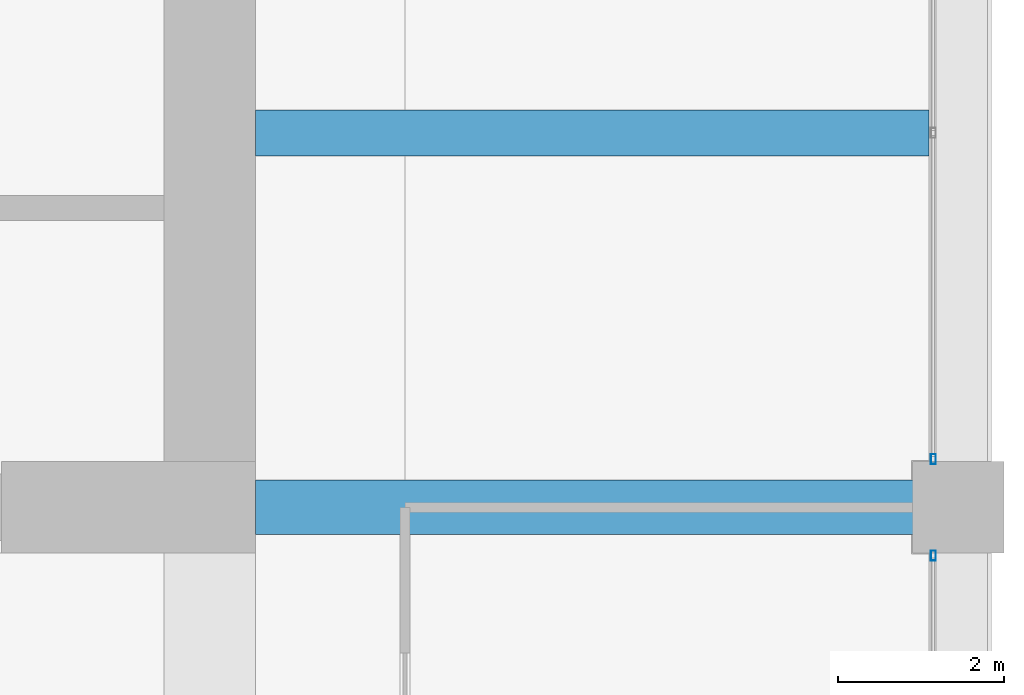
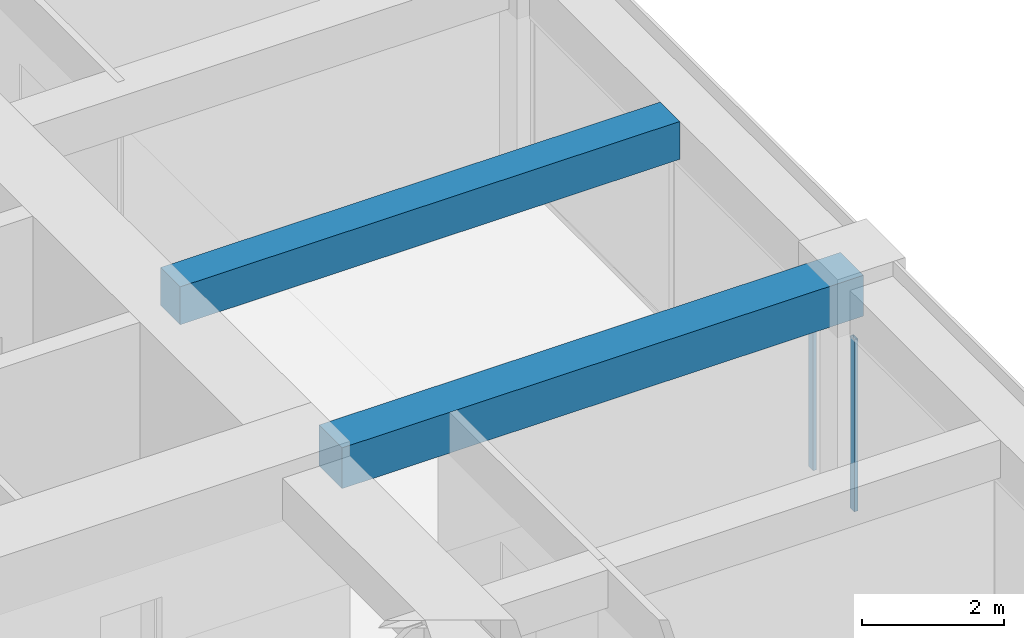
# One storey, part 24 of 44: 2 beams, 2 members, 2 elements without a shape of their own.
"""IFC4 building model written with IfcOpenShell, lengths in metres."""

from ifc_helpers import new_model, si_unit, direction, frame, origin, origin_2d, place, context, subcontext, project, spatial, rectangle, hollow_rectangle, extrude, material, material_profile, profile_set, type_object, element, aggregate, save


model = new_model("IFC4")

# Units and contexts
model_context = context("Model", 3, precision=1e-05, world=origin(), true_north=direction((0.0, 1.0)))
body_context = subcontext(model_context, "Body", "Model", "MODEL_VIEW")
ifc_project = project(units=[si_unit("LENGTHUNIT", "METRE"), si_unit("AREAUNIT", "SQUARE_METRE"), si_unit("VOLUMEUNIT", "CUBIC_METRE"), si_unit("PLANEANGLEUNIT", "RADIAN"), si_unit("MASSUNIT", "GRAM", prefix="KILO")], contexts=[model_context])

# Site, building, storey
site_placement = place(None, origin())
site = spatial("IfcSite", under=ifc_project, at=site_placement, CompositionType="ELEMENT")
building_placement = place(site_placement, origin())
building = spatial("IfcBuilding", under=site, at=building_placement, Name="Zorevar Civic Tower", CompositionType="ELEMENT")
storey_placement = place(building_placement, frame((0.0, 0.0, 295.39990234375)))
storey = spatial("IfcBuildingStorey", under=building, at=storey_placement, Name="L72", CompositionType="ELEMENT", Elevation=295.39990234375)

# Beams
ifc_material_1 = material(Name="Concrete C50/60", Category="concrete")
ifc_material_profile_1 = material_profile(ifc_material_1, rectangle(XDim=0.550048828125, YDim=0.64990234375, at=origin_2d()), Name="RC 550x650")
ifc_profile_set_1 = profile_set([ifc_material_profile_1], Name="Concrete C50/60")
beam_type_1 = type_object("IfcBeamType", Name="Beam RC 550x650", PredefinedType="BEAM", material=ifc_profile_set_1)
beam_1_placement = place(storey_placement, frame((45.550048828125, 22.5, 3.425048828125), z_axis=(1.0, 0.0, 0.0), x_axis=(0.0, 1.0, 0.0)))
element("IfcBeam", 1, at=beam_1_placement, inside=storey, type_object=beam_type_1, Name="Secondary beam L73", PredefinedType="BEAM", context=body_context, shape_type="SweptSolid", body=[
    extrude(rectangle(XDim=0.550048828125, YDim=0.64990234375, at=origin_2d()), origin(), (0.0, 0.0, 1.0), 8.099853515625),
])
ifc_material_2 = material(Name="Concrete C50/60", Category="concrete")
ifc_material_profile_2 = material_profile(ifc_material_2, rectangle(XDim=0.64990234375, YDim=0.699951171875, at=origin_2d()), Name="RC 650x700")
ifc_profile_set_2 = profile_set([ifc_material_profile_2], Name="Concrete C50/60")
beam_type_2 = type_object("IfcBeamType", Name="Beam RC 650x700", PredefinedType="BEAM", material=ifc_profile_set_2)
beam_2_placement = place(storey_placement, frame((45.550048828125, 18.0, 3.400146484375), z_axis=(1.0, 0.0, 0.0), x_axis=(0.0, 1.0, 0.0)))
element("IfcBeam", 2, at=beam_2_placement, inside=storey, type_object=beam_type_2, Name="Girder L73", PredefinedType="BEAM", context=body_context, shape_type="SweptSolid", body=[
    extrude(rectangle(XDim=0.64990234375, YDim=0.699951171875, at=origin_2d()), origin(), (0.0, 0.0, 1.0), 8.449951171875),
])

# Curtain wall, member
ifc_material_3 = material(Name="Dark grey solar-control glass in black aluminium frame", Category="aluminium")
curtain_wall_type = type_object("IfcCurtainWallType", Name="Curtain wall CW5 top zone", PredefinedType="NOTDEFINED", material=ifc_material_3)
curtain_wall_1_placement = place(storey_placement, origin())
curtain_wall_1 = element("IfcCurtainWall", 3, at=curtain_wall_1_placement, inside=storey, type_object=curtain_wall_type, Name="CW5 L72", PredefinedType="NOTDEFINED")
ifc_material_4 = material(Name="Aluminium, black anodised", Category="aluminium")
ifc_material_profile_3 = material_profile(ifc_material_4, hollow_rectangle(XDim=0.06005859375, YDim=0.1201171875, WallThickness=0.0029296875, at=origin_2d()), Name="AL 120x60x3")
ifc_profile_set_3 = profile_set([ifc_material_profile_3], Name="Aluminium, black anodised")
member_type = type_object("IfcMemberType", Name="CW5 mullion AL 120x60x3", PredefinedType="MULLION", material=ifc_profile_set_3)
member_1_placement = place(storey_placement, frame((53.699951171875, 17.419921875, 0.0), z_axis=(0.0, 0.0, 1.0), x_axis=(-1.0, 0.0, 0.0)))
member_1 = element("IfcMember", 4, at=member_1_placement, type_object=member_type, Name="CW5 mullion 3", PredefinedType="MULLION", context=body_context, shape_type="SweptSolid", body=[
    extrude(hollow_rectangle(XDim=0.06005859375, YDim=0.1201171875, WallThickness=0.0029296875, at=origin_2d()), origin(), (0.0, 0.0, 1.0), 2.9501953125),
])
aggregate(curtain_wall_1, [member_1])

curtain_wall_2_placement = place(storey_placement, origin())
curtain_wall_2 = element("IfcCurtainWall", 5, at=curtain_wall_2_placement, inside=storey, type_object=curtain_wall_type, Name="CW5 L72", PredefinedType="NOTDEFINED")
member_2_placement = place(storey_placement, frame((53.699951171875, 18.580078125, 0.0), z_axis=(0.0, 0.0, 1.0), x_axis=(-1.0, 0.0, 0.0)))
member_2 = element("IfcMember", 6, at=member_2_placement, type_object=member_type, Name="CW5 mullion 1", PredefinedType="MULLION", context=body_context, shape_type="SweptSolid", body=[
    extrude(hollow_rectangle(XDim=0.06005859375, YDim=0.1201171875, WallThickness=0.0029296875, at=origin_2d()), origin(), (0.0, 0.0, 1.0), 2.9501953125),
])
aggregate(curtain_wall_2, [member_2])

save(model, "model.ifc")
